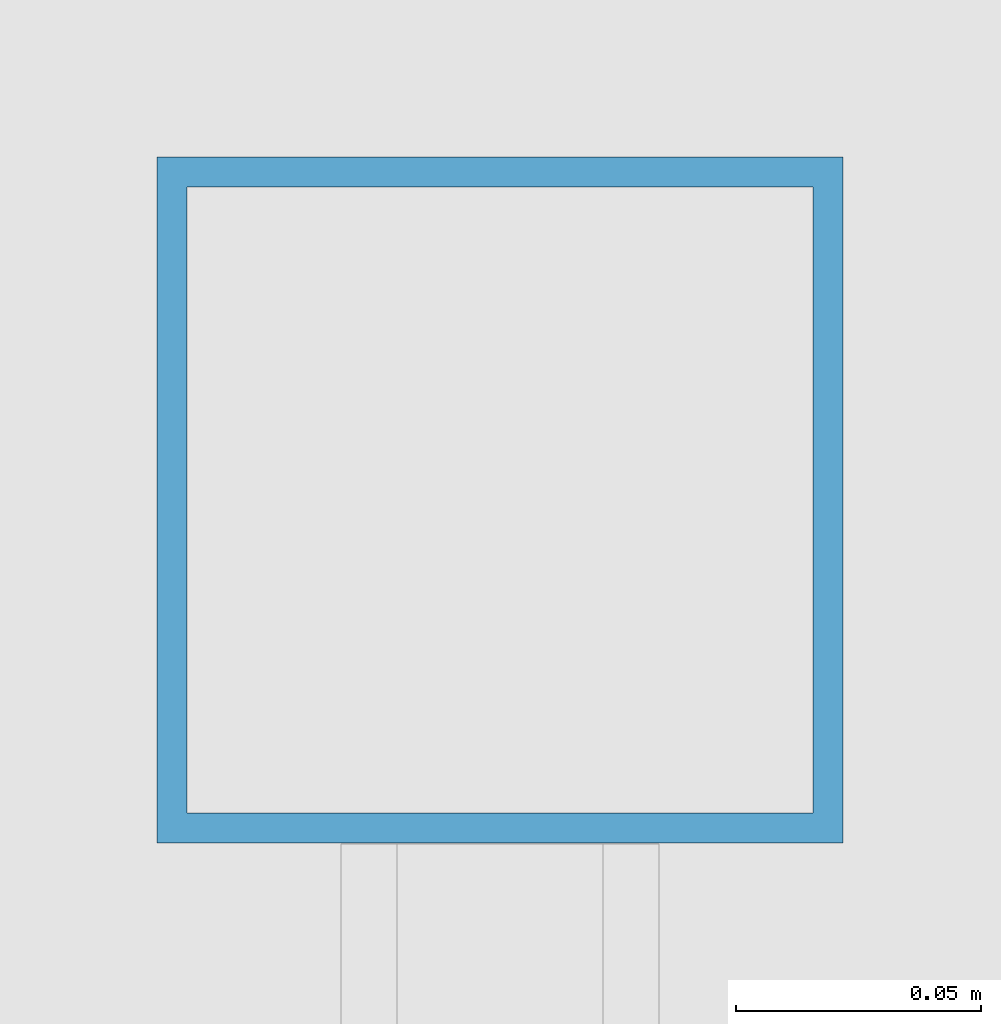
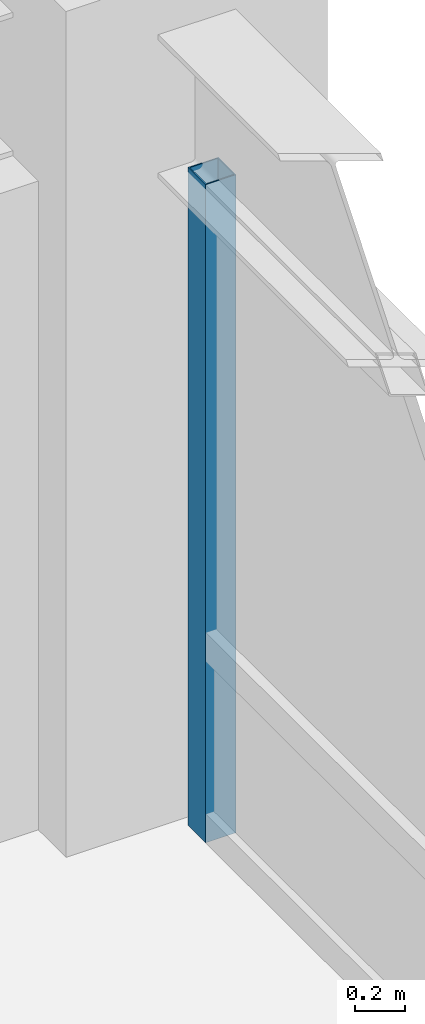
# One storey, part 16 of 32: 1 member, 1 element without a shape of its own.
"""IFC4 building model written with IfcOpenShell, lengths in metres."""

import ifcopenshell
import ifcopenshell.guid

model = None  # the IFC model being written
_history = None  # IfcOwnerHistory: only IFC2X3 demands one
_inside = {}  # id of a spatial element -> (the spatial element, [elements in it])
_under = {}  # id of a project, library or spatial element -> (it, [spatial elements below it])
_declared = {}  # id of a project -> (the project, [libraries it declares])
_typed = {}  # id of a type object -> (the type object, [elements of that type])
_made_of = {}  # id of a material, layer set ... -> (it, [elements and type objects made of it])


def new_model(schema):
    """Start an empty IFC model of exactly this schema.

    Asked for "IFC4X3", IfcOpenShell would pick the latest addendum, in which some entities
    have other attributes; the version numbers below select the first issue.
    IFC2X3 requires an IfcOwnerHistory on every rooted entity: one is made here for all.
    """
    global model, _history
    if schema == "IFC4X3":
        model = ifcopenshell.file(schema_version=(4, 3, 0, 0))
    else:
        model = ifcopenshell.file(schema=schema)
    _inside.clear()
    _under.clear()
    _declared.clear()
    _typed.clear()
    _made_of.clear()
    _history = None
    if model.schema == "IFC2X3":
        org = make("IfcOrganization", Name="unknown")
        user = make(
            "IfcPersonAndOrganization",
            ThePerson=make("IfcPerson", FamilyName="unknown"),
            TheOrganization=org,
        )
        app = make(
            "IfcApplication",
            ApplicationDeveloper=org,
            Version="unknown",
            ApplicationFullName="unknown",
            ApplicationIdentifier="unknown",
        )
        _history = make(
            "IfcOwnerHistory",
            OwningUser=user,
            OwningApplication=app,
            ChangeAction="ADDED",
            CreationDate=0,
        )
    return model


def make(cls, **values):
    """One entity of the class cls with the attributes given. An attribute that is None is left unset."""
    return model.create_entity(
        cls, **{name: value for name, value in values.items() if value is not None}
    )


def rooted(cls, **values):
    """An entity with a GlobalId (a new one), such as an element, a storey or a relation."""
    return make(cls, GlobalId=ifcopenshell.guid.new(), OwnerHistory=_history, **values)


def si_unit(unit_type, name, prefix=None):
    """IfcSIUnit, for example si_unit("LENGTHUNIT", "METRE", prefix="MILLI")."""
    return make("IfcSIUnit", UnitType=unit_type, Prefix=prefix, Name=name)


def assignment(units):
    """IfcUnitAssignment: the units of a project."""
    return None if units is None else make("IfcUnitAssignment", Units=units)


def point(xyz):
    """IfcCartesianPoint."""
    return None if xyz is None else make("IfcCartesianPoint", Coordinates=xyz)


def direction(xyz):
    """IfcDirection."""
    return None if xyz is None else make("IfcDirection", DirectionRatios=xyz)


def frame(location, z_axis=None, x_axis=None):
    """IfcAxis2Placement3D, a coordinate frame: its origin and axes. An axis left out is left unset."""
    return make(
        "IfcAxis2Placement3D",
        Location=point(location),
        Axis=direction(z_axis),
        RefDirection=direction(x_axis),
    )


def frame_2d(location, x_axis=None):
    """IfcAxis2Placement2D, a coordinate frame in the plane: its origin and x axis."""
    return make(
        "IfcAxis2Placement2D", Location=point(location), RefDirection=direction(x_axis)
    )


def origin():
    """The frame at (0, 0, 0) with its axes left unset."""
    return frame((0.0, 0.0, 0.0))


def origin_2d():
    """The frame at (0, 0) in the plane with its x axis left unset."""
    return frame_2d((0.0, 0.0))


def place(relative_to, where):
    """IfcLocalPlacement: puts the frame where relative to a parent placement (None: the world)."""
    return make(
        "IfcLocalPlacement", PlacementRelTo=relative_to, RelativePlacement=where
    )


def context(
    kind, dimensions, precision=None, world=None, true_north=None, identifier=None
):
    """IfcGeometricRepresentationContext, for example the 3D "Model" context."""
    return make(
        "IfcGeometricRepresentationContext",
        ContextIdentifier=identifier,
        ContextType=kind,
        CoordinateSpaceDimension=dimensions,
        Precision=precision,
        WorldCoordinateSystem=world,
        TrueNorth=true_north,
    )


def subcontext(parent, identifier, kind, view, scale=None):
    """IfcGeometricRepresentationSubContext, for example "Body" below "Model"."""
    return make(
        "IfcGeometricRepresentationSubContext",
        ContextIdentifier=identifier,
        ContextType=kind,
        ParentContext=parent,
        TargetScale=scale,
        TargetView=view,
    )


def project(units=None, contexts=None):
    """IfcProject with its units and contexts."""
    return rooted(
        "IfcProject",
        Name="project",
        RepresentationContexts=contexts,
        UnitsInContext=assignment(units),
    )


def spatial(cls, under=None, at=None, **own):
    """A site, building, storey or space (cls), placed at a placement, below another one or the project."""
    s = rooted(cls, ObjectPlacement=at, **own)
    if under is not None:
        _under.setdefault(under.id(), (under, []))[1].append(s)
    return s


def profile(cls, at=None, kind="AREA", **sizes):
    """A parametric profile (cls). Its sizes go by their IFC names, for example OverallWidth=200.0."""
    return make(cls, ProfileType=kind, Position=at, **sizes)


def hollow_rectangle(**sizes):
    """IfcRectangleHollowProfileDef."""
    return profile("IfcRectangleHollowProfileDef", **sizes)


def extrude(swept, where, along, depth):
    """IfcExtrudedAreaSolid: the profile swept, set in the frame where, extruded along a direction by depth."""
    return make(
        "IfcExtrudedAreaSolid",
        SweptArea=swept,
        Position=where,
        ExtrudedDirection=direction(along),
        Depth=depth,
    )


def shape(context_of_items, identifier, shape_type, items):
    """IfcShapeRepresentation: the items that make up one representation, for example the "Body"."""
    return make(
        "IfcShapeRepresentation",
        ContextOfItems=context_of_items,
        RepresentationIdentifier=identifier,
        RepresentationType=shape_type,
        Items=items,
    )


def source(mapping_origin, context_of_items, identifier, shape_type, items):
    """IfcRepresentationMap: a shape defined once, which mapped items show again and again."""
    return make(
        "IfcRepresentationMap",
        MappingOrigin=mapping_origin,
        MappedRepresentation=shape(context_of_items, identifier, shape_type, items),
    )


def transform(
    local_origin,
    x_axis=None,
    y_axis=None,
    z_axis=None,
    scale=None,
    scale2=None,
    scale3=None,
    uniform=True,
):
    """IfcCartesianTransformationOperator3D, or its non-uniform kind. x_axis, y_axis, z_axis: its Axis1, 2, 3."""
    if uniform:
        return make(
            "IfcCartesianTransformationOperator3D",
            Axis1=direction(x_axis),
            Axis2=direction(y_axis),
            LocalOrigin=point(local_origin),
            Scale=scale,
            Axis3=direction(z_axis),
        )
    return make(
        "IfcCartesianTransformationOperator3DnonUniform",
        Axis1=direction(x_axis),
        Axis2=direction(y_axis),
        LocalOrigin=point(local_origin),
        Scale=scale,
        Axis3=direction(z_axis),
        Scale2=scale2,
        Scale3=scale3,
    )


def mapped(mapping_source, mapping_target):
    """IfcMappedItem: shows the shape of a source again, moved by a transform."""
    return make(
        "IfcMappedItem", MappingSource=mapping_source, MappingTarget=mapping_target
    )


def material(Name=None, Category=None):
    """IfcMaterial."""
    return make("IfcMaterial", Name=Name, Category=Category)


def material_profile(
    of_material, cross_section, Name=None, Category=None, Priority=None
):
    """IfcMaterialProfile: a cross section and its material."""
    return make(
        "IfcMaterialProfile",
        Name=Name,
        Material=of_material,
        Profile=cross_section,
        Priority=Priority,
        Category=Category,
    )


def profile_set(profiles, Name=None, composite=None):
    """IfcMaterialProfileSet."""
    return make(
        "IfcMaterialProfileSet",
        Name=Name,
        MaterialProfiles=profiles,
        CompositeProfile=composite,
    )


def made_of(thing, what):
    """Note that an element or type object is made of a material, layer set ...; save() writes the relation."""
    if what is not None:
        _made_of.setdefault(what.id(), (what, []))[1].append(thing)
    return thing


def type_object(cls, material=None, **own):
    """A type object (cls), such as IfcWallType, which elements share."""
    return made_of(rooted(cls, **own), material)


def element(
    cls,
    number,
    at=None,
    inside=None,
    cuts=None,
    type_object=None,
    material=None,
    context=None,
    identifier="Body",
    shape_type=None,
    held_by="IfcProductDefinitionShape",
    body=None,
    shapes=None,
    **own,
):
    """One element of the class cls, such as IfcWall. Its Tag is "e" and its number.

    at: its placement. inside: the storey or other place that contains it. cuts: it is an
    opening in that element (IfcRelVoidsElement). A single representation is given by context,
    identifier, shape_type and body (its items); several are given by shapes. held_by: the class
    of the entity that holds the representations. save() writes the other relations.
    """
    e = rooted(cls, Tag="e%d" % number, ObjectPlacement=at, **own)
    if body is not None:
        shapes = [shape(context, identifier, shape_type, body)]
    if shapes is not None:
        e.Representation = make(held_by, Representations=shapes)
    if inside is not None:
        _inside.setdefault(inside.id(), (inside, []))[1].append(e)
    if cuts is not None:
        rooted(
            "IfcRelVoidsElement", RelatingBuildingElement=cuts, RelatedOpeningElement=e
        )
    if type_object is not None:
        _typed.setdefault(type_object.id(), (type_object, []))[1].append(e)
    return made_of(e, material)


def aggregate(whole, parts):
    """IfcRelAggregates: a whole, such as a stair, and the parts it consists of."""
    return rooted("IfcRelAggregates", RelatingObject=whole, RelatedObjects=parts)


def save(model, path):
    """Write the relations noted so far, then the file.

    IfcRelAggregates (storeys below a building ...), IfcRelContainedInSpatialStructure (elements
    in a storey), IfcRelDefinesByType, IfcRelAssociatesMaterial and IfcRelDeclares: one each for
    every whole, place, type object, material and project.
    """
    for whole, parts in _under.values():
        aggregate(whole, parts)
    for where, things in _inside.values():
        rooted(
            "IfcRelContainedInSpatialStructure",
            RelatedElements=things,
            RelatingStructure=where,
        )
    for kind, things in _typed.values():
        rooted("IfcRelDefinesByType", RelatedObjects=things, RelatingType=kind)
    for what, things in _made_of.values():
        rooted("IfcRelAssociatesMaterial", RelatedObjects=things, RelatingMaterial=what)
    for by, libraries in _declared.values():
        rooted("IfcRelDeclares", RelatingContext=by, RelatedDefinitions=libraries)
    model.write(path)


model = new_model("IFC4")

# Units and contexts
model_context = context("Model", 3, precision=1e-05, world=origin(), true_north=direction((0.0, 1.0)))
body_context = subcontext(model_context, "Body", "Model", "MODEL_VIEW")
ifc_project = project(units=[si_unit("LENGTHUNIT", "METRE"), si_unit("AREAUNIT", "SQUARE_METRE"), si_unit("VOLUMEUNIT", "CUBIC_METRE"), si_unit("PLANEANGLEUNIT", "RADIAN"), si_unit("MASSUNIT", "GRAM", prefix="KILO")], contexts=[model_context])

# Site, building, storey
site_placement = place(None, origin())
site = spatial("IfcSite", under=ifc_project, at=site_placement, CompositionType="ELEMENT")
building_placement = place(site_placement, origin())
building = spatial("IfcBuilding", under=site, at=building_placement, Name="Khorayat Bourse Tower", CompositionType="ELEMENT")
storey_placement = place(building_placement, frame((0.0, 0.0, 91.39990234375)))
storey = spatial("IfcBuildingStorey", under=building, at=storey_placement, Name="L20", CompositionType="ELEMENT", Elevation=91.39990234375)

# Curtain wall, member
ifc_material = material(Name="Aluminium EN AW-6063 T6", Category="aluminium")
curtain_wall_type = type_object("IfcCurtainWallType", Name="CW-SYS-02", PredefinedType="NOTDEFINED", material=ifc_material)
curtain_wall_placement = place(storey_placement, origin())
curtain_wall = element("IfcCurtainWall", 1, at=curtain_wall_placement, inside=storey, type_object=curtain_wall_type, Name="L20 Curtain Wall CW-L20-E1", PredefinedType="NOTDEFINED")
ifc_material_profile = material_profile(ifc_material, hollow_rectangle(XDim=0.139892578125, YDim=0.139892578125, WallThickness=0.006103515625, at=origin_2d()), Name="ALU 140x140x6")
ifc_profile_set = profile_set([ifc_material_profile], Name="Aluminium EN AW-6063 T6")
member_type = type_object("IfcMemberType", Name="CWM-VERT-140", PredefinedType="MULLION", material=ifc_profile_set)
shared_shape = source(origin(), body_context, "Body", "SweptSolid", [
    extrude(hollow_rectangle(XDim=0.139892578125, YDim=0.139892578125, WallThickness=0.006103515625, at=origin_2d()), origin(), (0.0, 0.0, 1.0), 3.190185546875),
])
member_placement = place(storey_placement, frame((32.0, 27.280029296875, 0.0), z_axis=(0.0, 0.0, 1.0), x_axis=(-1.0, 0.0, 0.0)))
member = element("IfcMember", 2, at=member_placement, type_object=member_type, Name="CW-L20-E1 Vertical Mullion 3", PredefinedType="MULLION", context=body_context, shape_type="MappedRepresentation", body=[
    mapped(shared_shape, transform((0.0, 0.0, 0.0), scale=1.0)),
])
aggregate(curtain_wall, [member])

save(model, "model.ifc")
